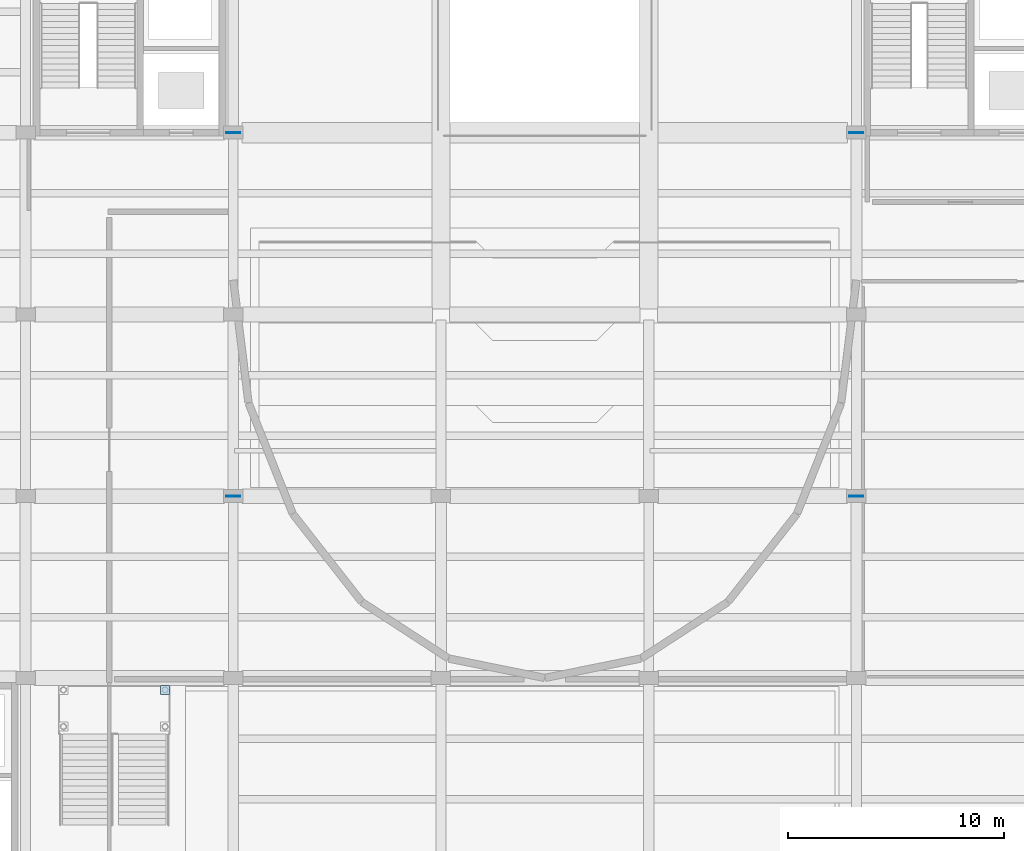
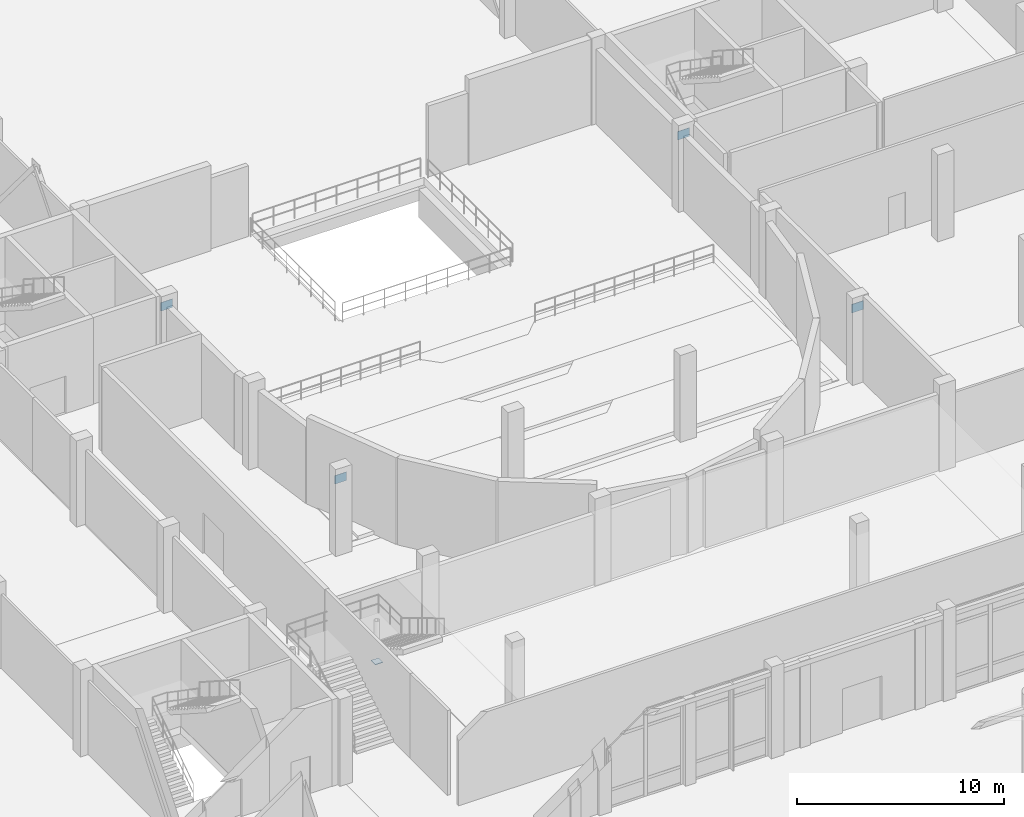
# One storey, part 46 of 71: 5 plates.
"""IFC4 building model written with IfcOpenShell, lengths in metres."""

from ifc_helpers import new_model, si_unit, direction, frame, origin, origin_2d, place, context, subcontext, project, spatial, rectangle, extrude, material, layer, layer_set, type_object, element, save


model = new_model("IFC4")

# Units and contexts
model_context = context("Model", 3, precision=1e-05, world=origin(), true_north=direction((0.0, 1.0)))
body_context = subcontext(model_context, "Body", "Model", "MODEL_VIEW")
ifc_project = project(units=[si_unit("LENGTHUNIT", "METRE"), si_unit("AREAUNIT", "SQUARE_METRE"), si_unit("VOLUMEUNIT", "CUBIC_METRE"), si_unit("PLANEANGLEUNIT", "RADIAN"), si_unit("MASSUNIT", "GRAM", prefix="KILO")], contexts=[model_context])

# Site, building, storey
site_placement = place(None, origin())
site = spatial("IfcSite", under=ifc_project, at=site_placement, CompositionType="ELEMENT")
building_placement = place(site_placement, origin())
building = spatial("IfcBuilding", under=site, at=building_placement, Name="Lornevale Opera House", CompositionType="ELEMENT")
storey_placement = place(building_placement, origin())
storey = spatial("IfcBuildingStorey", under=building, at=storey_placement, Name="L01", CompositionType="ELEMENT", Elevation=0.0)

# Plates
ifc_material = material(Name="Structural Steel CSA G40.21 Grade 350W (350 MPa)", Category="steel")
ifc_layer_1 = layer(ifc_material, 0.028076171875)
ifc_layer_set_1 = layer_set([ifc_layer_1], Name="Structural Steel CSA G40.21 Grade 350W (350 MPa)")
plate_type_1 = type_object("IfcPlateType", Name="Ramp Mast Base Plate 420x420x28", PredefinedType="USERDEFINED", material=ifc_layer_set_1)
plate_placement = place(storey_placement, frame((64.050048828125, 33.050048828125, 0.0), z_axis=(0.0, 0.0, 1.0), x_axis=(1.0, 0.0, 0.0)))
element("IfcPlate", 1, at=plate_placement, inside=storey, type_object=plate_type_1, Name="Ramp Mast Base Plate PT-MB-0015", ObjectType="GUSSET PLATE", PredefinedType="USERDEFINED", context=body_context, shape_type="SweptSolid", body=[
    extrude(rectangle(XDim=0.419921875, YDim=0.419921875, at=origin_2d()), origin(), (0.0, 0.0, 1.0), 0.028076171875),
])
ifc_layer_2 = layer(ifc_material, 0.030029296875)
ifc_layer_set_2 = layer_set([ifc_layer_2], Name="Structural Steel CSA G40.21 Grade 350W (350 MPa)")
plate_type_2 = type_object("IfcPlateType", Name="Transfer Bearing Stiffener 650x500x30", PredefinedType="USERDEFINED", material=ifc_layer_set_2)
for number, where, z_axis, x_axis, name in (
    (2, (67.199951171875, 42.0, 4.050048828125), (0.0, 0.0, 1.0), (1.0, 0.0, 0.0), "Transfer Bearing Stiffener PT-0047"),
    (3, (96.0, 42.0, 4.050048828125), (0.0, 0.0, 1.0), (1.0, 0.0, 0.0), "Transfer Bearing Stiffener PT-0048"),
    (4, (67.199951171875, 58.800048828125, 4.050048828125), (0.0, 0.0, 1.0), (1.0, 0.0, 0.0), "Transfer Bearing Stiffener PT-0049"),
    (5, (96.0, 58.800048828125, 4.050048828125), (0.0, 0.0, 1.0), (1.0, 0.0, 0.0), "Transfer Bearing Stiffener PT-0050"),
):
    element("IfcPlate", number, at=place(storey_placement, frame(where, z_axis=z_axis, x_axis=x_axis)), inside=storey, type_object=plate_type_2, Name=name, ObjectType="GUSSET PLATE", PredefinedType="USERDEFINED", context=body_context, shape_type="SweptSolid", body=[
        extrude(rectangle(XDim=0.64990234375, YDim=0.030029296875, at=origin_2d()), origin(), (0.0, 0.0, 1.0), 0.5),
    ])

save(model, "model.ifc")
